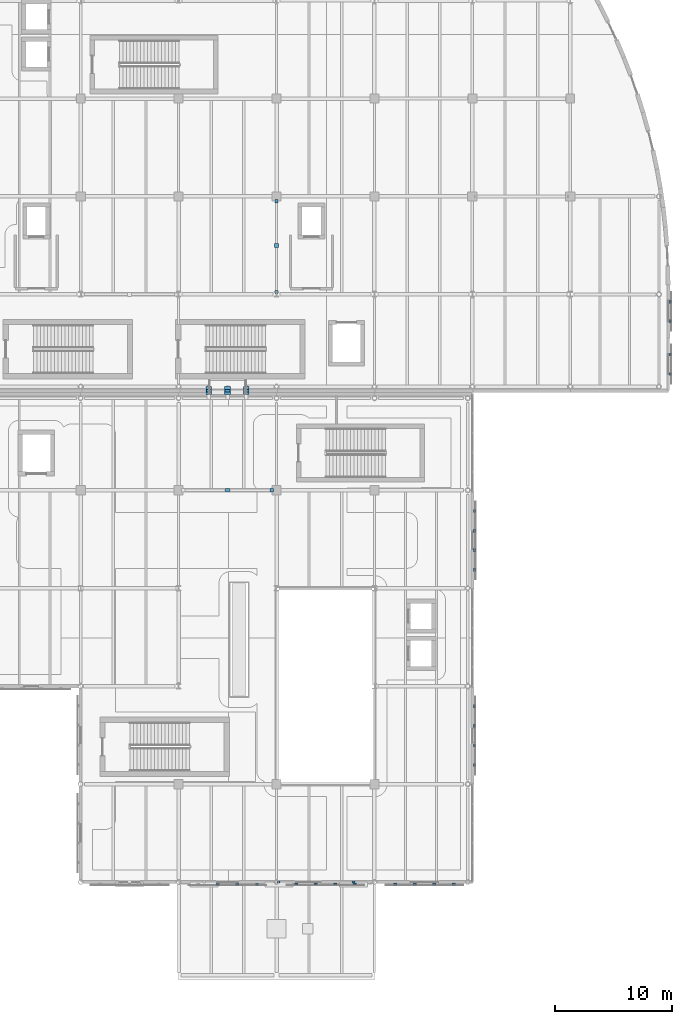
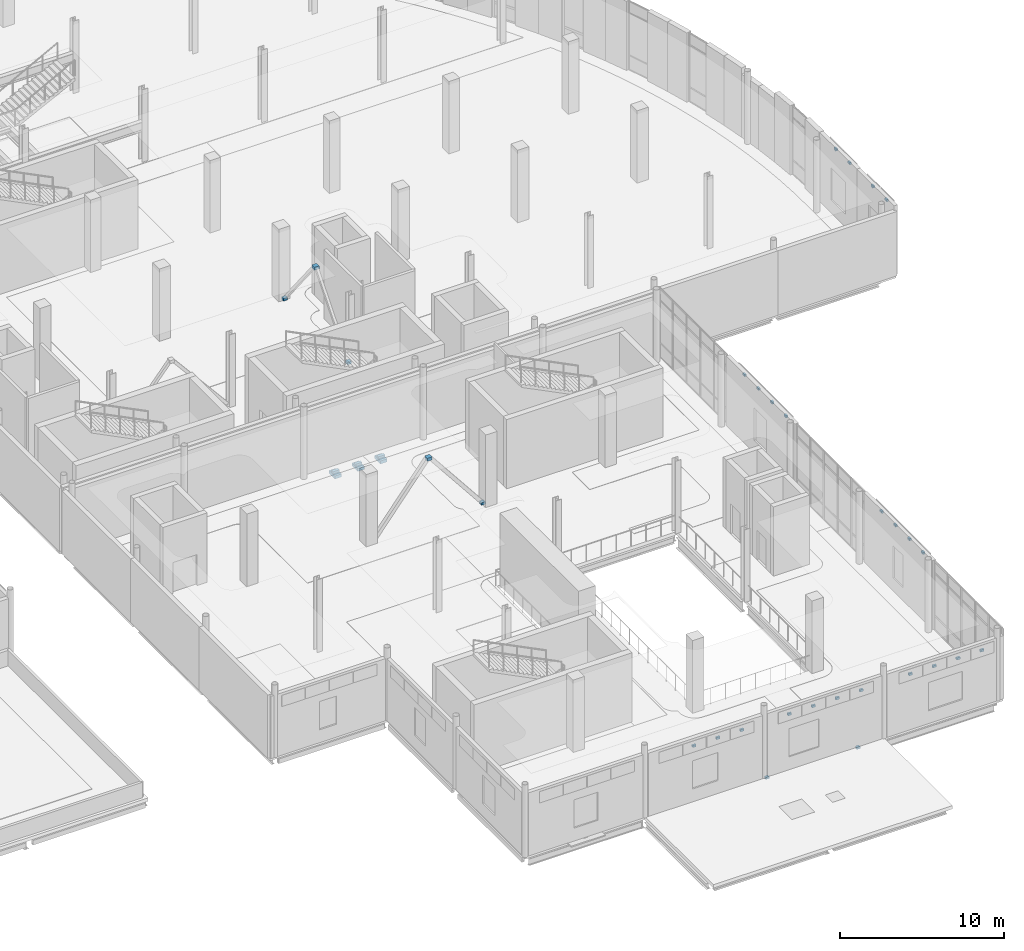
# One storey, part 84 of 110: 36 discrete accessories.
"""IFC4 building model written with IfcOpenShell, lengths in metres."""

from ifc_helpers import new_model, si_unit, direction, frame, origin, origin_2d, place, context, subcontext, project, spatial, rectangle, extrude, material, type_object, element, save


model = new_model("IFC4")

# Units and contexts
model_context = context("Model", 3, precision=1e-05, world=origin(), true_north=direction((0.0, 1.0)))
body_context = subcontext(model_context, "Body", "Model", "MODEL_VIEW")
ifc_project = project(units=[si_unit("LENGTHUNIT", "METRE"), si_unit("AREAUNIT", "SQUARE_METRE"), si_unit("VOLUMEUNIT", "CUBIC_METRE"), si_unit("PLANEANGLEUNIT", "RADIAN"), si_unit("MASSUNIT", "GRAM", prefix="KILO"), si_unit("THERMODYNAMICTEMPERATUREUNIT", "KELVIN")], contexts=[model_context])

# Site, building, storey
site_placement = place(None, origin())
site = spatial("IfcSite", under=ifc_project, at=site_placement, CompositionType="ELEMENT")
building_placement = place(site_placement, origin())
building = spatial("IfcBuilding", under=site, at=building_placement, Name="Lustrewick Department Store", CompositionType="ELEMENT")
storey_placement = place(building_placement, frame((0.0, 0.0, 6.0)))
storey = spatial("IfcBuildingStorey", under=building, at=storey_placement, Name="L02", CompositionType="ELEMENT", Elevation=6.0)

# Discrete accessories
ifc_material_1 = material(Name="Anodized filigree aluminium 6061-T6", Category="aluminium")
discrete_accessory_type_1 = type_object("IfcDiscreteAccessoryType", Name="BRK-FIL", PredefinedType="BRACKET", material=ifc_material_1)
for number, where, z_axis, x_axis, name in (
    (1, (129.360107421875, 8.199951171875, 4.1171875), (0.0, 0.0, 1.0), (1.0, 0.0, 0.0), "L02 Filigree Stand-Off Bracket 0179"),
    (2, (131.0400390625, 8.199951171875, 4.1171875), (0.0, 0.0, 1.0), (1.0, 0.0, 0.0), "L02 Filigree Stand-Off Bracket 0180"),
    (3, (132.719970703125, 8.199951171875, 4.1171875), (0.0, 0.0, 1.0), (1.0, 0.0, 0.0), "L02 Filigree Stand-Off Bracket 0181"),
    (4, (136.080078125, 8.219970703125, 4.1171875), (0.0, 0.0, 1.0), (1.0, 0.0, 0.0), "L02 Filigree Stand-Off Bracket 0182"),
    (5, (137.760009765625, 8.219970703125, 4.1171875), (0.0, 0.0, 1.0), (1.0, 0.0, 0.0), "L02 Filigree Stand-Off Bracket 0183"),
    (6, (139.43994140625, 8.219970703125, 4.1171875), (0.0, 0.0, 1.0), (1.0, 0.0, 0.0), "L02 Filigree Stand-Off Bracket 0184"),
    (7, (141.1201171875, 8.219970703125, 4.1171875), (0.0, 0.0, 1.0), (1.0, 0.0, 0.0), "L02 Filigree Stand-Off Bracket 0185"),
    (8, (144.57177734375, 8.2099609375, 4.1171875), (0.0, 0.0, 1.0), (1.0, 0.0, 0.0), "L02 Filigree Stand-Off Bracket 0186"),
    (9, (146.251708984375, 8.2099609375, 4.1171875), (0.0, 0.0, 1.0), (1.0, 0.0, 0.0), "L02 Filigree Stand-Off Bracket 0187"),
    (10, (147.931640625, 8.2099609375, 4.1171875), (0.0, 0.0, 1.0), (1.0, 0.0, 0.0), "L02 Filigree Stand-Off Bracket 0188"),
    (11, (149.61181640625, 8.2099609375, 4.1171875), (0.0, 0.0, 1.0), (1.0, 0.0, 0.0), "L02 Filigree Stand-Off Bracket 0189"),
    (12, (151.3798828125, 18.43505859375, 4.56494140625), (0.0, 0.0, 1.0), (0.0, 1.0, 0.0), "L02 Filigree Stand-Off Bracket 0190"),
    (13, (151.3798828125, 20.114990234375, 4.56494140625), (0.0, 0.0, 1.0), (0.0, 1.0, 0.0), "L02 Filigree Stand-Off Bracket 0191"),
    (14, (151.3798828125, 21.794921875, 4.56494140625), (0.0, 0.0, 1.0), (0.0, 1.0, 0.0), "L02 Filigree Stand-Off Bracket 0192"),
    (15, (151.3798828125, 23.47509765625, 4.56494140625), (0.0, 0.0, 1.0), (0.0, 1.0, 0.0), "L02 Filigree Stand-Off Bracket 0193"),
    (16, (151.39990234375, 35.175048828125, 4.56494140625), (0.0, 0.0, 1.0), (0.0, 1.0, 0.0), "L02 Filigree Stand-Off Bracket 0194"),
    (17, (151.39990234375, 36.85498046875, 4.56494140625), (0.0, 0.0, 1.0), (0.0, 1.0, 0.0), "L02 Filigree Stand-Off Bracket 0195"),
    (18, (151.39990234375, 38.534912109375, 4.56494140625), (0.0, 0.0, 1.0), (0.0, 1.0, 0.0), "L02 Filigree Stand-Off Bracket 0196"),
    (19, (151.39990234375, 40.215087890625, 4.56494140625), (0.0, 0.0, 1.0), (0.0, 1.0, 0.0), "L02 Filigree Stand-Off Bracket 0197"),
    (20, (168.179931640625, 51.972412109375, 4.56494140625), (0.0, 0.0, 1.0), (0.0, 1.0, 0.0), "L02 Filigree Stand-Off Bracket 0198"),
    (21, (168.179931640625, 53.652587890625, 4.56494140625), (0.0, 0.0, 1.0), (0.0, 1.0, 0.0), "L02 Filigree Stand-Off Bracket 0199"),
    (22, (168.18994140625, 56.49755859375, 4.56494140625), (0.0, 0.0, 1.0), (0.0, 1.0, 0.0), "L02 Filigree Stand-Off Bracket 0200"),
    (23, (168.18994140625, 58.177490234375, 4.56494140625), (0.0, 0.0, 1.0), (0.0, 1.0, 0.0), "L02 Filigree Stand-Off Bracket 0201"),
):
    element("IfcDiscreteAccessory", number, at=place(storey_placement, frame(where, z_axis=z_axis, x_axis=x_axis)), inside=storey, type_object=discrete_accessory_type_1, Name=name, PredefinedType="BRACKET", context=body_context, shape_type="SweptSolid", body=[
        extrude(rectangle(XDim=0.239990234375, YDim=0.139892578125, at=origin_2d()), origin(), (0.0, 0.0, 1.0), 0.159912109375),
    ])
for number, where, z_axis, x_axis, name in (
    (24, (134.60009765625, 8.39990234375, -0.18994140625), (0.0, 0.0, 1.0), (1.0, 0.0, 0.0), "L02 Sun Louvre Bracket 03"),
    (25, (141.0, 8.39990234375, -0.18994140625), (0.0, 0.0, 1.0), (1.0, 0.0, 0.0), "L02 Sun Louvre Bracket 04"),
):
    element("IfcDiscreteAccessory", number, at=place(storey_placement, frame(where, z_axis=z_axis, x_axis=x_axis)), inside=storey, type_object=discrete_accessory_type_1, Name=name, PredefinedType="BRACKET", context=body_context, shape_type="SweptSolid", body=[
        extrude(rectangle(XDim=0.239990234375, YDim=0.199951171875, at=origin_2d()), origin(), (0.0, 0.0, 1.0), 0.139892578125),
    ])
ifc_material_2 = material(Name="Structural steel Q355C", Category="steel")
discrete_accessory_type_2 = type_object("IfcDiscreteAccessoryType", Name="GUS-NODE", PredefinedType="BRACKET", material=ifc_material_2)
discrete_accessory_1_placement = place(storey_placement, frame((134.0, 42.0, 0.06005859375), z_axis=(0.0, 0.0, 1.0), x_axis=(1.0, 0.0, 0.0)))
element("IfcDiscreteAccessory", 26, at=discrete_accessory_1_placement, inside=storey, type_object=discrete_accessory_type_2, Name="L02 V3 Brace Base Gusset Plate", PredefinedType="BRACKET", context=body_context, shape_type="SweptSolid", body=[
    extrude(rectangle(XDim=0.280029296875, YDim=0.280029296875, at=origin_2d()), origin(), (0.0, 0.0, 1.0), 0.179931640625),
])
discrete_accessory_2_placement = place(storey_placement, frame((130.199951171875, 42.0, 4.68505859375), z_axis=(0.0, 0.0, 1.0), x_axis=(1.0, 0.0, 0.0)))
element("IfcDiscreteAccessory", 27, at=discrete_accessory_2_placement, inside=storey, type_object=discrete_accessory_type_2, Name="L02 V3 Chevron Brace Apex Gusset Plate", PredefinedType="BRACKET", context=body_context, shape_type="SweptSolid", body=[
    extrude(rectangle(XDim=0.320068359375, YDim=0.320068359375, at=origin_2d()), origin(), (0.0, 0.0, 1.0), 0.219970703125),
])
for number, where, z_axis, x_axis, name in (
    (28, (134.39990234375, 59.00244140625, 0.06005859375), (0.0, 0.0, 1.0), (1.0, 0.0, 0.0), "L02 V4 Brace Base Gusset Plate"),
    (29, (134.39990234375, 66.800048828125, 0.06005859375), (0.0, 0.0, 1.0), (1.0, 0.0, 0.0), "L02 V4 Brace Base Gusset Plate"),
):
    element("IfcDiscreteAccessory", number, at=place(storey_placement, frame(where, z_axis=z_axis, x_axis=x_axis)), inside=storey, type_object=discrete_accessory_type_2, Name=name, PredefinedType="BRACKET", context=body_context, shape_type="SweptSolid", body=[
        extrude(rectangle(XDim=0.280029296875, YDim=0.280029296875, at=origin_2d()), origin(), (0.0, 0.0, 1.0), 0.179931640625),
    ])
discrete_accessory_3_placement = place(storey_placement, frame((134.39990234375, 63.0, 4.68505859375), z_axis=(0.0, 0.0, 1.0), x_axis=(1.0, 0.0, 0.0)))
element("IfcDiscreteAccessory", 30, at=discrete_accessory_3_placement, inside=storey, type_object=discrete_accessory_type_2, Name="L02 V4 Chevron Brace Apex Gusset Plate", PredefinedType="BRACKET", context=body_context, shape_type="SweptSolid", body=[
    extrude(rectangle(XDim=0.320068359375, YDim=0.320068359375, at=origin_2d()), origin(), (0.0, 0.0, 1.0), 0.219970703125),
])
discrete_accessory_type_3 = type_object("IfcDiscreteAccessoryType", Name="SB-CORBEL", PredefinedType="BRACKET", material=ifc_material_2)
for number, where, z_axis, x_axis, name in (
    (31, (128.60009765625, 50.550048828125, -1.11279296875), (0.0, 0.0, 1.0), (1.0, 0.0, 0.0), "L02 Skybridge SB34 700 mm Bearing Seat Corbel 1"),
    (32, (130.199951171875, 50.550048828125, -1.11279296875), (0.0, 0.0, 1.0), (1.0, 0.0, 0.0), "L02 Skybridge SB34 700 mm Bearing Seat Corbel 2"),
    (33, (131.800048828125, 50.550048828125, -1.11279296875), (0.0, 0.0, 1.0), (1.0, 0.0, 0.0), "L02 Skybridge SB34 700 mm Bearing Seat Corbel 3"),
):
    element("IfcDiscreteAccessory", number, at=place(storey_placement, frame(where, z_axis=z_axis, x_axis=x_axis)), inside=storey, type_object=discrete_accessory_type_3, Name=name, PredefinedType="BRACKET", context=body_context, shape_type="SweptSolid", body=[
        extrude(rectangle(XDim=0.47998046875, YDim=0.699951171875, at=origin_2d()), origin(), (0.0, 0.0, 1.0), 0.219970703125),
    ])
discrete_accessory_type_4 = type_object("IfcDiscreteAccessoryType", Name="SB-PTFE", PredefinedType="BRACKET", material=ifc_material_2)
for number, where, z_axis, x_axis, name in (
    (34, (128.60009765625, 50.550048828125, -0.89306640625), (0.0, 0.0, 1.0), (1.0, 0.0, 0.0), "L02 Skybridge SB34 PTFE Sliding Bearing 1"),
    (35, (130.199951171875, 50.550048828125, -0.89306640625), (0.0, 0.0, 1.0), (1.0, 0.0, 0.0), "L02 Skybridge SB34 PTFE Sliding Bearing 2"),
    (36, (131.800048828125, 50.550048828125, -0.89306640625), (0.0, 0.0, 1.0), (1.0, 0.0, 0.0), "L02 Skybridge SB34 PTFE Sliding Bearing 3"),
):
    element("IfcDiscreteAccessory", number, at=place(storey_placement, frame(where, z_axis=z_axis, x_axis=x_axis)), inside=storey, type_object=discrete_accessory_type_4, Name=name, PredefinedType="BRACKET", context=body_context, shape_type="SweptSolid", body=[
        extrude(rectangle(XDim=0.449951171875, YDim=0.199951171875, at=origin_2d()), origin(), (0.0, 0.0, 1.0), 0.159912109375),
    ])

save(model, "model.ifc")
